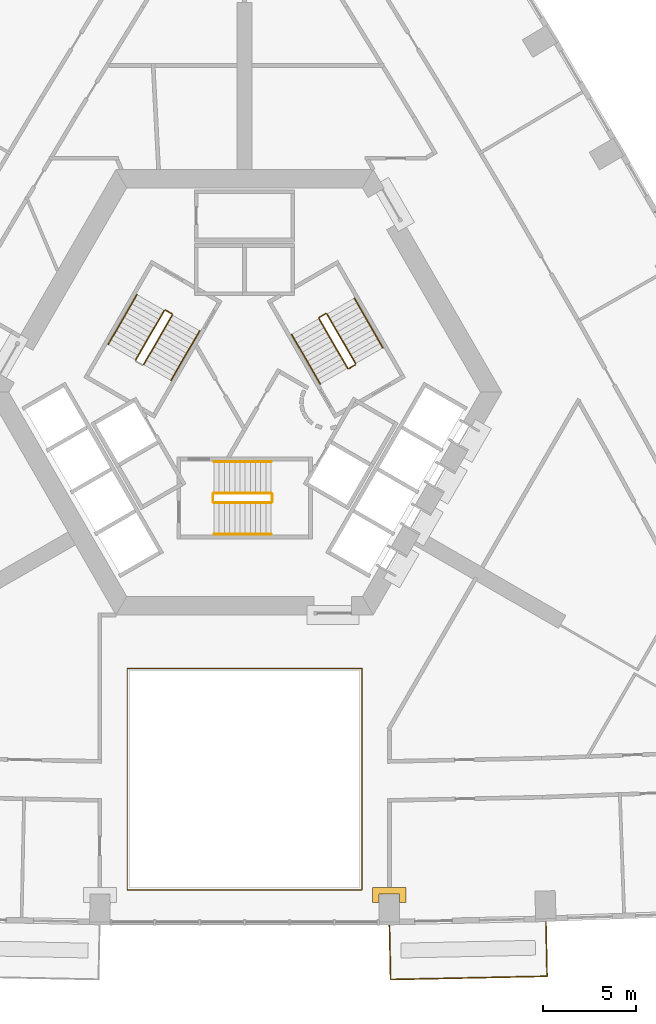
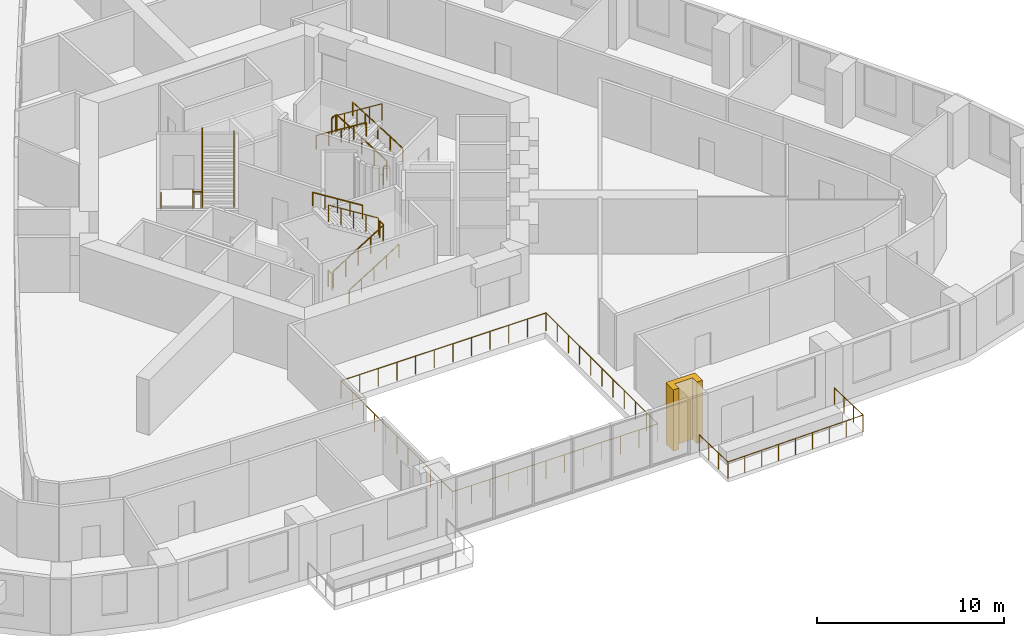
# One storey, part 13 of 14: 19 railings, 1 covering.
"""IFC4 building model written with IfcOpenShell, lengths in metres."""

from ifc_helpers import new_model, si_unit, direction, frame, origin, origin_2d, place, context, subcontext, project, spatial, polyline, circle, outline, extrude, material, type_object, element, save


model = new_model("IFC4")

# Units and contexts
model_context = context("Model", 3, precision=1e-05, world=origin(), true_north=direction((0.0, 1.0)))
body_context = subcontext(model_context, "Body", "Model", "MODEL_VIEW")
ifc_project = project(units=[si_unit("LENGTHUNIT", "METRE"), si_unit("AREAUNIT", "SQUARE_METRE"), si_unit("VOLUMEUNIT", "CUBIC_METRE"), si_unit("PLANEANGLEUNIT", "RADIAN"), si_unit("MASSUNIT", "GRAM", prefix="KILO")], contexts=[model_context])

# Site, building, storey
site_placement = place(None, origin())
site = spatial("IfcSite", under=ifc_project, at=site_placement, CompositionType="ELEMENT")
building_placement = place(site_placement, origin())
building = spatial("IfcBuilding", under=site, at=building_placement, Name="Entoto Arch Interchange Tower", CompositionType="ELEMENT")
storey_placement = place(building_placement, frame((0.0, 0.0, 180.199951171875)))
storey = spatial("IfcBuildingStorey", under=building, at=storey_placement, Name="L40", CompositionType="ELEMENT", Elevation=180.199951171875)

# Railings
ifc_material_1 = material(Name="Stainless steel 1.4301", Category="steel")
railing_type_1 = type_object("IfcRailingType", Name="ATRIUM GUARD 1200 STEEL AND GLASS", PredefinedType="GUARDRAIL", material=ifc_material_1)
railing_1_placement = place(storey_placement, frame((6.320068359375, -24.30908203125, 0.0)))
element("IfcRailing", 1, at=railing_1_placement, inside=storey, type_object=railing_type_1, Name="Atrium guard L40", PredefinedType="GUARDRAIL", context=body_context, shape_type="SweptSolid", body=[
    extrude(circle(Radius=0.02392578125, at=origin_2d()), frame((0.0, 0.0, 1.17578125), z_axis=(-1.0, 0.0, 0.0), x_axis=(0.0, -1.0, 0.0)), (0.0, 0.0, 1.0), 12.64013671875),
    extrude(circle(Radius=0.02392578125, at=origin_2d()), frame((-12.64013671875, 0.0, 1.17578125), z_axis=(0.0, 1.0, 0.0), x_axis=(-1.0, 0.0, 0.0)), (0.0, 0.0, 1.0), 11.92919921875),
    extrude(circle(Radius=0.02392578125, at=origin_2d()), frame((-12.64013671875, 11.92919921875, 1.17578125), z_axis=(1.0, 0.0, 0.0), x_axis=(0.0, 1.0, 0.0)), (0.0, 0.0, 1.0), 12.64013671875),
    extrude(circle(Radius=0.02392578125, at=origin_2d()), frame((0.0, 11.92919921875, 1.17578125), z_axis=(0.0, -1.0, 0.0), x_axis=(1.0, 0.0, 0.0)), (0.0, 0.0, 1.0), 11.92919921875),
    extrude(circle(Radius=0.02099609375, at=origin_2d()), origin(), (0.0, 0.0, 1.0), 1.15185546875),
    extrude(circle(Radius=0.02099609375, at=origin_2d()), frame((-1.149169921875, 0.0, 0.0)), (0.0, 0.0, 1.0), 1.15185546875),
    extrude(circle(Radius=0.02099609375, at=origin_2d()), frame((-2.298095703125, 0.0, 0.0)), (0.0, 0.0, 1.0), 1.15185546875),
    extrude(circle(Radius=0.02099609375, at=origin_2d()), frame((-3.447265625, 0.0, 0.0)), (0.0, 0.0, 1.0), 1.15185546875),
    extrude(circle(Radius=0.02099609375, at=origin_2d()), frame((-4.596435546875, 0.0, 0.0)), (0.0, 0.0, 1.0), 1.15185546875),
    extrude(circle(Radius=0.02099609375, at=origin_2d()), frame((-5.74560546875, 0.0, 0.0)), (0.0, 0.0, 1.0), 1.15185546875),
    extrude(circle(Radius=0.02099609375, at=origin_2d()), frame((-6.89453125, 0.0, 0.0)), (0.0, 0.0, 1.0), 1.15185546875),
    extrude(circle(Radius=0.02099609375, at=origin_2d()), frame((-8.043701171875, 0.0, 0.0)), (0.0, 0.0, 1.0), 1.15185546875),
    extrude(circle(Radius=0.02099609375, at=origin_2d()), frame((-9.19287109375, 0.0, 0.0)), (0.0, 0.0, 1.0), 1.15185546875),
    extrude(circle(Radius=0.02099609375, at=origin_2d()), frame((-10.342041015625, 0.0, 0.0)), (0.0, 0.0, 1.0), 1.15185546875),
    extrude(circle(Radius=0.02099609375, at=origin_2d()), frame((-11.490966796875, 0.0, 0.0)), (0.0, 0.0, 1.0), 1.15185546875),
    extrude(circle(Radius=0.02099609375, at=origin_2d()), frame((-12.64013671875, 0.0, 0.0)), (0.0, 0.0, 1.0), 1.15185546875),
    extrude(circle(Radius=0.02099609375, at=origin_2d()), frame((-12.64013671875, 1.19287109375, 0.0)), (0.0, 0.0, 1.0), 1.15185546875),
    extrude(circle(Radius=0.02099609375, at=origin_2d()), frame((-12.64013671875, 2.3857421875, 0.0)), (0.0, 0.0, 1.0), 1.15185546875),
    extrude(circle(Radius=0.02099609375, at=origin_2d()), frame((-12.64013671875, 3.578857421875, 0.0)), (0.0, 0.0, 1.0), 1.15185546875),
    extrude(circle(Radius=0.02099609375, at=origin_2d()), frame((-12.64013671875, 4.771728515625, 0.0)), (0.0, 0.0, 1.0), 1.15185546875),
    extrude(circle(Radius=0.02099609375, at=origin_2d()), frame((-12.64013671875, 5.964599609375, 0.0)), (0.0, 0.0, 1.0), 1.15185546875),
    extrude(circle(Radius=0.02099609375, at=origin_2d()), frame((-12.64013671875, 7.157470703125, 0.0)), (0.0, 0.0, 1.0), 1.15185546875),
    extrude(circle(Radius=0.02099609375, at=origin_2d()), frame((-12.64013671875, 8.350341796875, 0.0)), (0.0, 0.0, 1.0), 1.15185546875),
    extrude(circle(Radius=0.02099609375, at=origin_2d()), frame((-12.64013671875, 9.54345703125, 0.0)), (0.0, 0.0, 1.0), 1.15185546875),
    extrude(circle(Radius=0.02099609375, at=origin_2d()), frame((-12.64013671875, 10.736328125, 0.0)), (0.0, 0.0, 1.0), 1.15185546875),
    extrude(circle(Radius=0.02099609375, at=origin_2d()), frame((-12.64013671875, 11.92919921875, 0.0)), (0.0, 0.0, 1.0), 1.15185546875),
    extrude(circle(Radius=0.02099609375, at=origin_2d()), frame((-11.490966796875, 11.92919921875, 0.0)), (0.0, 0.0, 1.0), 1.15185546875),
    extrude(circle(Radius=0.02099609375, at=origin_2d()), frame((-10.342041015625, 11.92919921875, 0.0)), (0.0, 0.0, 1.0), 1.15185546875),
    extrude(circle(Radius=0.02099609375, at=origin_2d()), frame((-9.19287109375, 11.92919921875, 0.0)), (0.0, 0.0, 1.0), 1.15185546875),
    extrude(circle(Radius=0.02099609375, at=origin_2d()), frame((-8.043701171875, 11.92919921875, 0.0)), (0.0, 0.0, 1.0), 1.15185546875),
    extrude(circle(Radius=0.02099609375, at=origin_2d()), frame((-6.89453125, 11.92919921875, 0.0)), (0.0, 0.0, 1.0), 1.15185546875),
    extrude(circle(Radius=0.02099609375, at=origin_2d()), frame((-5.74560546875, 11.92919921875, 0.0)), (0.0, 0.0, 1.0), 1.15185546875),
    extrude(circle(Radius=0.02099609375, at=origin_2d()), frame((-4.596435546875, 11.92919921875, 0.0)), (0.0, 0.0, 1.0), 1.15185546875),
    extrude(circle(Radius=0.02099609375, at=origin_2d()), frame((-3.447265625, 11.92919921875, 0.0)), (0.0, 0.0, 1.0), 1.15185546875),
    extrude(circle(Radius=0.02099609375, at=origin_2d()), frame((-2.298095703125, 11.92919921875, 0.0)), (0.0, 0.0, 1.0), 1.15185546875),
    extrude(circle(Radius=0.02099609375, at=origin_2d()), frame((-1.149169921875, 11.92919921875, 0.0)), (0.0, 0.0, 1.0), 1.15185546875),
    extrude(circle(Radius=0.02099609375, at=origin_2d()), frame((0.0, 11.92919921875, 0.0)), (0.0, 0.0, 1.0), 1.15185546875),
    extrude(circle(Radius=0.02099609375, at=origin_2d()), frame((0.0, 10.736328125, 0.0)), (0.0, 0.0, 1.0), 1.15185546875),
    extrude(circle(Radius=0.02099609375, at=origin_2d()), frame((0.0, 9.54345703125, 0.0)), (0.0, 0.0, 1.0), 1.15185546875),
    extrude(circle(Radius=0.02099609375, at=origin_2d()), frame((0.0, 8.350341796875, 0.0)), (0.0, 0.0, 1.0), 1.15185546875),
    extrude(circle(Radius=0.02099609375, at=origin_2d()), frame((0.0, 7.157470703125, 0.0)), (0.0, 0.0, 1.0), 1.15185546875),
    extrude(circle(Radius=0.02099609375, at=origin_2d()), frame((0.0, 5.964599609375, 0.0)), (0.0, 0.0, 1.0), 1.15185546875),
    extrude(circle(Radius=0.02099609375, at=origin_2d()), frame((0.0, 4.771728515625, 0.0)), (0.0, 0.0, 1.0), 1.15185546875),
    extrude(circle(Radius=0.02099609375, at=origin_2d()), frame((0.0, 3.578857421875, 0.0)), (0.0, 0.0, 1.0), 1.15185546875),
    extrude(circle(Radius=0.02099609375, at=origin_2d()), frame((0.0, 2.3857421875, 0.0)), (0.0, 0.0, 1.0), 1.15185546875),
    extrude(circle(Radius=0.02099609375, at=origin_2d()), frame((0.0, 1.19287109375, 0.0)), (0.0, 0.0, 1.0), 1.15185546875),
])
railing_type_2 = type_object("IfcRailingType", Name="GUARD 1100 STEEL AND GLASS", PredefinedType="GUARDRAIL", material=ifc_material_1)
railing_2_placement = place(storey_placement, frame((7.800048828125, -26.18896484375, 0.0)))
element("IfcRailing", 2, at=railing_2_placement, inside=storey, type_object=railing_type_2, Name="Balcony guard S-04 L40", PredefinedType="GUARDRAIL", context=body_context, shape_type="SweptSolid", body=[
    extrude(circle(Radius=0.02392578125, at=origin_2d()), frame((0.0, 0.0, 1.076171875), z_axis=(0.021023583155, -0.999778980051, 0.0), x_axis=(0.999778980051, 0.021023583155, 0.0)), (0.0, 0.0, 1.0), 2.94970703125),
    extrude(circle(Radius=0.02392578125, at=origin_2d()), frame((0.06201171875, -2.948974609375, 1.076171875), z_axis=(0.999782264983, 0.020866782836, 0.0), x_axis=(-0.020866782836, 0.999782264983, 0.0)), (0.0, 0.0, 1.0), 8.435791015625),
    extrude(circle(Radius=0.02392578125, at=origin_2d()), frame((8.495849609375, -2.77294921875, 1.076171875), z_axis=(-0.021023583155, 0.999778980051, 0.0), x_axis=(-0.999778980051, -0.021023583155, 0.0)), (0.0, 0.0, 1.0), 2.94970703125),
    extrude(circle(Radius=0.02099609375, at=origin_2d()), origin(), (0.0, 0.0, 1.0), 1.052001953125),
    extrude(circle(Radius=0.02099609375, at=origin_2d()), frame((0.020751953125, -0.98291015625, 0.0)), (0.0, 0.0, 1.0), 1.052001953125),
    extrude(circle(Radius=0.02099609375, at=origin_2d()), frame((0.041259765625, -1.966064453125, 0.0)), (0.0, 0.0, 1.0), 1.052001953125),
    extrude(circle(Radius=0.02099609375, at=origin_2d()), frame((0.06201171875, -2.948974609375, 0.0)), (0.0, 0.0, 1.0), 1.052001953125),
    extrude(circle(Radius=0.02099609375, at=origin_2d()), frame((1.1162109375, -2.927001953125, 0.0)), (0.0, 0.0, 1.0), 1.052001953125),
    extrude(circle(Radius=0.02099609375, at=origin_2d()), frame((2.17041015625, -2.905029296875, 0.0)), (0.0, 0.0, 1.0), 1.052001953125),
    extrude(circle(Radius=0.02099609375, at=origin_2d()), frame((3.224609375, -2.883056640625, 0.0)), (0.0, 0.0, 1.0), 1.052001953125),
    extrude(circle(Radius=0.02099609375, at=origin_2d()), frame((4.27880859375, -2.86083984375, 0.0)), (0.0, 0.0, 1.0), 1.052001953125),
    extrude(circle(Radius=0.02099609375, at=origin_2d()), frame((5.333251953125, -2.8388671875, 0.0)), (0.0, 0.0, 1.0), 1.052001953125),
    extrude(circle(Radius=0.02099609375, at=origin_2d()), frame((6.387451171875, -2.81689453125, 0.0)), (0.0, 0.0, 1.0), 1.052001953125),
    extrude(circle(Radius=0.02099609375, at=origin_2d()), frame((7.441650390625, -2.794921875, 0.0)), (0.0, 0.0, 1.0), 1.052001953125),
    extrude(circle(Radius=0.02099609375, at=origin_2d()), frame((8.495849609375, -2.77294921875, 0.0)), (0.0, 0.0, 1.0), 1.052001953125),
    extrude(circle(Radius=0.02099609375, at=origin_2d()), frame((8.47509765625, -1.7900390625, 0.0)), (0.0, 0.0, 1.0), 1.052001953125),
    extrude(circle(Radius=0.02099609375, at=origin_2d()), frame((8.45458984375, -0.806884765625, 0.0)), (0.0, 0.0, 1.0), 1.052001953125),
    extrude(circle(Radius=0.02099609375, at=origin_2d()), frame((8.433837890625, 0.176025390625, 0.0)), (0.0, 0.0, 1.0), 1.052001953125),
])

# Covering
ifc_material_2 = material(Name="Board-marked precast concrete C50/60", Category="concrete")
covering_type = type_object("IfcCoveringType", Name="PRECAST FRAME COURSE", PredefinedType="CLADDING", material=ifc_material_2)
covering_placement = place(storey_placement, frame((0.0, 0.0, -0.39990234375)))
element("IfcCovering", 3, at=covering_placement, inside=storey, type_object=covering_type, Name="Gate pier L40", PredefinedType="CLADDING", context=body_context, shape_type="SweptSolid", body=[
    extrude(outline(polyline([(6.888916015625, -24.18896484375), (8.68896484375, -24.18896484375), (8.68896484375, -24.9990234375), (8.339111328125, -24.9990234375), (8.339111328125, -24.5390625), (7.239013671875, -24.5390625), (7.239013671875, -24.9990234375), (6.888916015625, -24.9990234375), (6.888916015625, -24.18896484375)])), origin(), (0.0, 0.0, 1.0), 4.0),
])

# Railings
railing_type_3 = type_object("IfcRailingType", Name="STAIR GUARD 1100 STEEL", PredefinedType="GUARDRAIL", material=ifc_material_1)
railing_3_placement = place(storey_placement, frame((-1.64990234375, -3.449951171875, 0.175048828125)))
element("IfcRailing", 4, at=railing_3_placement, inside=storey, type_object=railing_type_3, Name="L40 ST-S stair guard 1", PredefinedType="GUARDRAIL", context=body_context, shape_type="SweptSolid", body=[
    extrude(circle(Radius=0.02392578125, at=origin_2d()), frame((0.0, 0.0, 1.076171875), z_axis=(0.847979421464, 0.0, 0.530029150871), x_axis=(0.0, 1.0, 0.0)), (0.0, 0.0, 1.0), 3.632080078125),
    extrude(circle(Radius=0.02099609375, at=origin_2d()), origin(), (0.0, 0.0, 1.0), 1.052001953125),
    extrude(circle(Radius=0.02099609375, at=origin_2d()), frame((0.77001953125, 0.0, 0.481201171875)), (0.0, 0.0, 1.0), 1.052001953125),
    extrude(circle(Radius=0.02099609375, at=origin_2d()), frame((1.5400390625, 0.0, 0.96240234375)), (0.0, 0.0, 1.0), 1.052001953125),
    extrude(circle(Radius=0.02099609375, at=origin_2d()), frame((2.309814453125, 0.0, 1.44384765625)), (0.0, 0.0, 1.0), 1.052001953125),
    extrude(circle(Radius=0.02099609375, at=origin_2d()), frame((3.079833984375, 0.0, 1.925048828125)), (0.0, 0.0, 1.0), 1.052001953125),
])
railing_4_placement = place(storey_placement, frame((1.47998046875, -3.39990234375, 2.10009765625)))
element("IfcRailing", 5, at=railing_4_placement, inside=storey, type_object=railing_type_3, Name="L40 ST-S stair guard 2", PredefinedType="GUARDRAIL", context=body_context, shape_type="SweptSolid", body=[
    extrude(circle(Radius=0.02392578125, at=origin_2d()), frame((0.0, 0.0, 1.076171875), z_axis=(0.0, 1.0, 0.0), x_axis=(-1.0, 0.0, 0.0)), (0.0, 0.0, 1.0), 0.39990234375),
    extrude(circle(Radius=0.02099609375, at=origin_2d()), origin(), (0.0, 0.0, 1.0), 1.052001953125),
    extrude(circle(Radius=0.02099609375, at=origin_2d()), frame((0.0, 0.39990234375, 0.0)), (0.0, 0.0, 1.0), 1.052001953125),
])
railing_5_placement = place(storey_placement, frame((1.429931640625, -2.949951171875, 2.275146484375)))
element("IfcRailing", 6, at=railing_5_placement, inside=storey, type_object=railing_type_3, Name="L40 ST-S stair guard 3", PredefinedType="GUARDRAIL", context=body_context, shape_type="SweptSolid", body=[
    extrude(circle(Radius=0.02392578125, at=origin_2d()), frame((0.0, 0.0, 1.076171875), z_axis=(-0.848009633417, 0.0, 0.529980812513), x_axis=(0.0, -1.0, 0.0)), (0.0, 0.0, 1.0), 3.6318359375),
    extrude(circle(Radius=0.02099609375, at=origin_2d()), origin(), (0.0, 0.0, 1.0), 1.052001953125),
    extrude(circle(Radius=0.02099609375, at=origin_2d()), frame((-0.77001953125, 0.0, 0.481201171875)), (0.0, 0.0, 1.0), 1.052001953125),
    extrude(circle(Radius=0.02099609375, at=origin_2d()), frame((-1.5400390625, 0.0, 0.96240234375)), (0.0, 0.0, 1.0), 1.052001953125),
    extrude(circle(Radius=0.02099609375, at=origin_2d()), frame((-2.309814453125, 0.0, 1.443603515625)), (0.0, 0.0, 1.0), 1.052001953125),
    extrude(circle(Radius=0.02099609375, at=origin_2d()), frame((-3.079833984375, 0.0, 1.9248046875)), (0.0, 0.0, 1.0), 1.052001953125),
])
railing_6_placement = place(storey_placement, frame((-1.699951171875, -3.39990234375, 0.0)))
element("IfcRailing", 7, at=railing_6_placement, inside=storey, type_object=railing_type_3, Name="L40 ST-S stair guard 4", PredefinedType="GUARDRAIL", context=body_context, shape_type="SweptSolid", body=[
    extrude(circle(Radius=0.02392578125, at=origin_2d()), frame((0.0, 0.0, 1.076171875), z_axis=(0.0, 1.0, 0.0), x_axis=(-1.0, 0.0, 0.0)), (0.0, 0.0, 1.0), 0.39990234375),
    extrude(circle(Radius=0.02099609375, at=origin_2d()), origin(), (0.0, 0.0, 1.0), 1.052001953125),
    extrude(circle(Radius=0.02099609375, at=origin_2d()), frame((0.0, 0.39990234375, 0.0)), (0.0, 0.0, 1.0), 1.052001953125),
])
railing_7_placement = place(storey_placement, frame((5.977783203125, 4.046142578125, 0.175048828125)))
element("IfcRailing", 8, at=railing_7_placement, inside=storey, type_object=railing_type_3, Name="L40 ST-NE stair guard 1", PredefinedType="GUARDRAIL", context=body_context, shape_type="SweptSolid", body=[
    extrude(circle(Radius=0.02392578125, at=origin_2d()), frame((0.0, 0.0, 1.076171875), z_axis=(-0.424015404183, 0.734364028329, 0.530019255228), x_axis=(-0.866010015463, -0.500026652407, 0.0)), (0.0, 0.0, 1.0), 3.632080078125),
    extrude(circle(Radius=0.02099609375, at=origin_2d()), origin(), (0.0, 0.0, 1.0), 1.052001953125),
    extrude(circle(Radius=0.02099609375, at=origin_2d()), frame((-0.385009765625, 0.666748046875, 0.481201171875)), (0.0, 0.0, 1.0), 1.052001953125),
    extrude(circle(Radius=0.02099609375, at=origin_2d()), frame((-0.77001953125, 1.33349609375, 0.96240234375)), (0.0, 0.0, 1.0), 1.052001953125),
    extrude(circle(Radius=0.02099609375, at=origin_2d()), frame((-1.155029296875, 2.00048828125, 1.44384765625)), (0.0, 0.0, 1.0), 1.052001953125),
    extrude(circle(Radius=0.02099609375, at=origin_2d()), frame((-1.5400390625, 2.667236328125, 1.925048828125)), (0.0, 0.0, 1.0), 1.052001953125),
])
railing_8_placement = place(storey_placement, frame((4.36962890625, 6.731689453125, 2.10009765625)))
element("IfcRailing", 9, at=railing_8_placement, inside=storey, type_object=railing_type_3, Name="L40 ST-NE stair guard 2", PredefinedType="GUARDRAIL", context=body_context, shape_type="SweptSolid", body=[
    extrude(circle(Radius=0.02392578125, at=origin_2d()), frame((0.0, 0.0, 1.076171875), z_axis=(-0.866094119867, -0.499880961361, 0.0), x_axis=(0.499880961361, -0.866094119867, 0.0)), (0.0, 0.0, 1.0), 0.39990234375),
    extrude(circle(Radius=0.02099609375, at=origin_2d()), origin(), (0.0, 0.0, 1.0), 1.052001953125),
    extrude(circle(Radius=0.02099609375, at=origin_2d()), frame((-0.346435546875, -0.199951171875, 0.0)), (0.0, 0.0, 1.0), 1.052001953125),
])
railing_9_placement = place(storey_placement, frame((4.0048828125, 6.46337890625, 2.275146484375)))
element("IfcRailing", 10, at=railing_9_placement, inside=storey, type_object=railing_type_3, Name="L40 ST-NE stair guard 3", PredefinedType="GUARDRAIL", context=body_context, shape_type="SweptSolid", body=[
    extrude(circle(Radius=0.02392578125, at=origin_2d()), frame((0.0, 0.0, 1.076171875), z_axis=(0.42403051051, -0.734390191396, 0.529970917068), x_axis=(0.866010015463, 0.500026652407, 0.0)), (0.0, 0.0, 1.0), 3.6318359375),
    extrude(circle(Radius=0.02099609375, at=origin_2d()), origin(), (0.0, 0.0, 1.0), 1.052001953125),
    extrude(circle(Radius=0.02099609375, at=origin_2d()), frame((0.385009765625, -0.666748046875, 0.481201171875)), (0.0, 0.0, 1.0), 1.052001953125),
    extrude(circle(Radius=0.02099609375, at=origin_2d()), frame((0.77001953125, -1.33349609375, 0.96240234375)), (0.0, 0.0, 1.0), 1.052001953125),
    extrude(circle(Radius=0.02099609375, at=origin_2d()), frame((1.155029296875, -2.00048828125, 1.443603515625)), (0.0, 0.0, 1.0), 1.052001953125),
    extrude(circle(Radius=0.02099609375, at=origin_2d()), frame((1.5400390625, -2.667236328125, 1.9248046875)), (0.0, 0.0, 1.0), 1.052001953125),
])
railing_10_placement = place(storey_placement, frame((5.95947265625, 3.977783203125, 0.0)))
element("IfcRailing", 11, at=railing_10_placement, inside=storey, type_object=railing_type_3, Name="L40 ST-NE stair guard 4", PredefinedType="GUARDRAIL", context=body_context, shape_type="SweptSolid", body=[
    extrude(circle(Radius=0.02392578125, at=origin_2d()), frame((0.0, 0.0, 1.076171875), z_axis=(-0.866094119867, -0.499880961361, 0.0), x_axis=(0.499880961361, -0.866094119867, 0.0)), (0.0, 0.0, 1.0), 0.39990234375),
    extrude(circle(Radius=0.02099609375, at=origin_2d()), origin(), (0.0, 0.0, 1.0), 1.052001953125),
    extrude(circle(Radius=0.02099609375, at=origin_2d()), frame((-0.346435546875, -0.199951171875, 0.0)), (0.0, 0.0, 1.0), 1.052001953125),
])
railing_11_placement = place(storey_placement, frame((-4.327880859375, 6.904052734375, 0.175048828125)))
element("IfcRailing", 12, at=railing_11_placement, inside=storey, type_object=railing_type_3, Name="L40 ST-NW stair guard 1", PredefinedType="GUARDRAIL", context=body_context, shape_type="SweptSolid", body=[
    extrude(circle(Radius=0.02392578125, at=origin_2d()), frame((0.0, 0.0, 1.076171875), z_axis=(-0.423994474112, -0.734394994316, 0.52999309264), x_axis=(0.866029832698, -0.499992328818, 0.0)), (0.0, 0.0, 1.0), 3.63232421875),
    extrude(circle(Radius=0.02099609375, at=origin_2d()), origin(), (0.0, 0.0, 1.0), 1.052001953125),
    extrude(circle(Radius=0.02099609375, at=origin_2d()), frame((-0.385009765625, -0.6669921875, 0.481201171875)), (0.0, 0.0, 1.0), 1.052001953125),
    extrude(circle(Radius=0.02099609375, at=origin_2d()), frame((-0.77001953125, -1.333740234375, 0.96240234375)), (0.0, 0.0, 1.0), 1.052001953125),
    extrude(circle(Radius=0.02099609375, at=origin_2d()), frame((-1.155029296875, -2.00048828125, 1.44384765625)), (0.0, 0.0, 1.0), 1.052001953125),
    extrude(circle(Radius=0.02099609375, at=origin_2d()), frame((-1.5400390625, -2.66748046875, 1.925048828125)), (0.0, 0.0, 1.0), 1.052001953125),
])
railing_12_placement = place(storey_placement, frame((-5.434814453125, 3.986572265625, 2.275146484375)))
element("IfcRailing", 13, at=railing_12_placement, inside=storey, type_object=railing_type_3, Name="L40 ST-NW stair guard 3", PredefinedType="GUARDRAIL", context=body_context, shape_type="SweptSolid", body=[
    extrude(circle(Radius=0.02392578125, at=origin_2d()), frame((0.0, 0.0, 1.076171875), z_axis=(0.424009578203, 0.734421155904, 0.529944755001), x_axis=(-0.866029832698, 0.499992328818, 0.0)), (0.0, 0.0, 1.0), 3.632080078125),
    extrude(circle(Radius=0.02099609375, at=origin_2d()), origin(), (0.0, 0.0, 1.0), 1.052001953125),
    extrude(circle(Radius=0.02099609375, at=origin_2d()), frame((0.385009765625, 0.6669921875, 0.481201171875)), (0.0, 0.0, 1.0), 1.052001953125),
    extrude(circle(Radius=0.02099609375, at=origin_2d()), frame((0.77001953125, 1.333740234375, 0.96240234375)), (0.0, 0.0, 1.0), 1.052001953125),
    extrude(circle(Radius=0.02099609375, at=origin_2d()), frame((1.155029296875, 2.00048828125, 1.443603515625)), (0.0, 0.0, 1.0), 1.052001953125),
    extrude(circle(Radius=0.02099609375, at=origin_2d()), frame((1.5400390625, 2.66748046875, 1.9248046875)), (0.0, 0.0, 1.0), 1.052001953125),
])
railing_13_placement = place(storey_placement, frame((-4.259521484375, 6.92236328125, 0.0)))
element("IfcRailing", 14, at=railing_13_placement, inside=storey, type_object=railing_type_3, Name="L40 ST-NW stair guard 4", PredefinedType="GUARDRAIL", context=body_context, shape_type="SweptSolid", body=[
    extrude(circle(Radius=0.02392578125, at=origin_2d()), frame((0.0, 0.0, 1.076171875), z_axis=(0.865829829939, -0.500338590944, 0.0), x_axis=(0.500338590944, 0.865829829939, 0.0)), (0.0, 0.0, 1.0), 0.400146484375),
    extrude(circle(Radius=0.02099609375, at=origin_2d()), origin(), (0.0, 0.0, 1.0), 1.052001953125),
    extrude(circle(Radius=0.02099609375, at=origin_2d()), frame((0.346435546875, -0.2001953125, 0.0)), (0.0, 0.0, 1.0), 1.052001953125),
])
railing_type_4 = type_object("IfcRailingType", Name="STAIR HANDRAIL 900 STEEL", PredefinedType="HANDRAIL", material=ifc_material_1)
railing_14_placement = place(storey_placement, frame((-1.64990234375, -5.14990234375, 0.175048828125)))
element("IfcRailing", 15, at=railing_14_placement, inside=storey, type_object=railing_type_4, Name="L40 ST-S stair handrail 1", PredefinedType="HANDRAIL", context=body_context, shape_type="SweptSolid", body=[
    extrude(circle(Radius=0.02392578125, at=origin_2d()), frame((0.0, 0.0, 0.8759765625), z_axis=(0.847979421464, 0.0, 0.530029150871), x_axis=(0.0, 1.0, 0.0)), (0.0, 0.0, 1.0), 3.632080078125),
    extrude(circle(Radius=0.02099609375, at=origin_2d()), origin(), (0.0, 0.0, 1.0), 0.851806640625),
    extrude(circle(Radius=0.02099609375, at=origin_2d()), frame((0.77001953125, 0.0, 0.481201171875)), (0.0, 0.0, 1.0), 0.851806640625),
    extrude(circle(Radius=0.02099609375, at=origin_2d()), frame((1.5400390625, 0.0, 0.96240234375)), (0.0, 0.0, 1.0), 0.851806640625),
    extrude(circle(Radius=0.02099609375, at=origin_2d()), frame((2.309814453125, 0.0, 1.44384765625)), (0.0, 0.0, 1.0), 0.851806640625),
    extrude(circle(Radius=0.02099609375, at=origin_2d()), frame((3.079833984375, 0.0, 1.925048828125)), (0.0, 0.0, 1.0), 0.851806640625),
])
railing_15_placement = place(storey_placement, frame((1.429931640625, -1.25, 2.275146484375)))
element("IfcRailing", 16, at=railing_15_placement, inside=storey, type_object=railing_type_4, Name="L40 ST-S stair handrail 2", PredefinedType="HANDRAIL", context=body_context, shape_type="SweptSolid", body=[
    extrude(circle(Radius=0.02392578125, at=origin_2d()), frame((0.0, 0.0, 0.8759765625), z_axis=(-0.848009633417, 0.0, 0.529980812513), x_axis=(0.0, -1.0, 0.0)), (0.0, 0.0, 1.0), 3.6318359375),
    extrude(circle(Radius=0.02099609375, at=origin_2d()), origin(), (0.0, 0.0, 1.0), 0.851806640625),
    extrude(circle(Radius=0.02099609375, at=origin_2d()), frame((-0.77001953125, 0.0, 0.481201171875)), (0.0, 0.0, 1.0), 0.851806640625),
    extrude(circle(Radius=0.02099609375, at=origin_2d()), frame((-1.5400390625, 0.0, 0.96240234375)), (0.0, 0.0, 1.0), 0.851806640625),
    extrude(circle(Radius=0.02099609375, at=origin_2d()), frame((-2.309814453125, 0.0, 1.443603515625)), (0.0, 0.0, 1.0), 0.851806640625),
    extrude(circle(Radius=0.02099609375, at=origin_2d()), frame((-3.079833984375, 0.0, 1.9248046875)), (0.0, 0.0, 1.0), 0.851806640625),
])
railing_16_placement = place(storey_placement, frame((7.4501953125, 4.89599609375, 0.175048828125)))
element("IfcRailing", 17, at=railing_16_placement, inside=storey, type_object=railing_type_4, Name="L40 ST-NE stair handrail 1", PredefinedType="HANDRAIL", context=body_context, shape_type="SweptSolid", body=[
    extrude(circle(Radius=0.02392578125, at=origin_2d()), frame((0.0, 0.0, 0.8759765625), z_axis=(-0.423994474112, 0.734394994316, 0.52999309264), x_axis=(-0.866029832698, -0.499992328818, 0.0)), (0.0, 0.0, 1.0), 3.63232421875),
    extrude(circle(Radius=0.02099609375, at=origin_2d()), origin(), (0.0, 0.0, 1.0), 0.851806640625),
    extrude(circle(Radius=0.02099609375, at=origin_2d()), frame((-0.385009765625, 0.6669921875, 0.481201171875)), (0.0, 0.0, 1.0), 0.851806640625),
    extrude(circle(Radius=0.02099609375, at=origin_2d()), frame((-0.77001953125, 1.333740234375, 0.96240234375)), (0.0, 0.0, 1.0), 0.851806640625),
    extrude(circle(Radius=0.02099609375, at=origin_2d()), frame((-1.155029296875, 2.00048828125, 1.44384765625)), (0.0, 0.0, 1.0), 0.851806640625),
    extrude(circle(Radius=0.02099609375, at=origin_2d()), frame((-1.5400390625, 2.66748046875, 1.925048828125)), (0.0, 0.0, 1.0), 0.851806640625),
])
railing_17_placement = place(storey_placement, frame((2.53271484375, 5.613525390625, 2.275146484375)))
element("IfcRailing", 18, at=railing_17_placement, inside=storey, type_object=railing_type_4, Name="L40 ST-NE stair handrail 2", PredefinedType="HANDRAIL", context=body_context, shape_type="SweptSolid", body=[
    extrude(circle(Radius=0.02392578125, at=origin_2d()), frame((0.0, 0.0, 0.8759765625), z_axis=(0.423954442778, -0.734442086855, 0.52995985839), x_axis=(0.866064153644, 0.499932877268, 0.0)), (0.0, 0.0, 1.0), 3.632080078125),
    extrude(circle(Radius=0.02099609375, at=origin_2d()), origin(), (0.0, 0.0, 1.0), 0.851806640625),
    extrude(circle(Radius=0.02099609375, at=origin_2d()), frame((0.385009765625, -0.6669921875, 0.481201171875)), (0.0, 0.0, 1.0), 0.851806640625),
    extrude(circle(Radius=0.02099609375, at=origin_2d()), frame((0.77001953125, -1.333740234375, 0.96240234375)), (0.0, 0.0, 1.0), 0.851806640625),
    extrude(circle(Radius=0.02099609375, at=origin_2d()), frame((1.15478515625, -2.00048828125, 1.443603515625)), (0.0, 0.0, 1.0), 0.851806640625),
    extrude(circle(Radius=0.02099609375, at=origin_2d()), frame((1.539794921875, -2.66748046875, 1.9248046875)), (0.0, 0.0, 1.0), 0.851806640625),
])
railing_18_placement = place(storey_placement, frame((-5.800048828125, 7.75390625, 0.175048828125)))
element("IfcRailing", 19, at=railing_18_placement, inside=storey, type_object=railing_type_4, Name="L40 ST-NW stair handrail 1", PredefinedType="HANDRAIL", context=body_context, shape_type="SweptSolid", body=[
    extrude(circle(Radius=0.02392578125, at=origin_2d()), frame((0.0, 0.0, 0.8759765625), z_axis=(-0.424015404183, -0.734364028329, 0.530019255228), x_axis=(0.866010015463, -0.500026652407, 0.0)), (0.0, 0.0, 1.0), 3.632080078125),
    extrude(circle(Radius=0.02099609375, at=origin_2d()), origin(), (0.0, 0.0, 1.0), 0.851806640625),
    extrude(circle(Radius=0.02099609375, at=origin_2d()), frame((-0.385009765625, -0.666748046875, 0.481201171875)), (0.0, 0.0, 1.0), 0.851806640625),
    extrude(circle(Radius=0.02099609375, at=origin_2d()), frame((-0.77001953125, -1.33349609375, 0.96240234375)), (0.0, 0.0, 1.0), 0.851806640625),
    extrude(circle(Radius=0.02099609375, at=origin_2d()), frame((-1.155029296875, -2.00048828125, 1.44384765625)), (0.0, 0.0, 1.0), 0.851806640625),
    extrude(circle(Radius=0.02099609375, at=origin_2d()), frame((-1.5400390625, -2.667236328125, 1.925048828125)), (0.0, 0.0, 1.0), 0.851806640625),
])
railing_19_placement = place(storey_placement, frame((-3.962646484375, 3.136474609375, 2.275146484375)))
element("IfcRailing", 20, at=railing_19_placement, inside=storey, type_object=railing_type_4, Name="L40 ST-NW stair handrail 2", PredefinedType="HANDRAIL", context=body_context, shape_type="SweptSolid", body=[
    extrude(circle(Radius=0.02392578125, at=origin_2d()), frame((0.0, 0.0, 0.8759765625), z_axis=(0.424009578203, 0.734421155904, 0.529944755001), x_axis=(-0.866029832698, 0.499992328818, 0.0)), (0.0, 0.0, 1.0), 3.632080078125),
    extrude(circle(Radius=0.02099609375, at=origin_2d()), origin(), (0.0, 0.0, 1.0), 0.851806640625),
    extrude(circle(Radius=0.02099609375, at=origin_2d()), frame((0.385009765625, 0.6669921875, 0.481201171875)), (0.0, 0.0, 1.0), 0.851806640625),
    extrude(circle(Radius=0.02099609375, at=origin_2d()), frame((0.77001953125, 1.333740234375, 0.96240234375)), (0.0, 0.0, 1.0), 0.851806640625),
    extrude(circle(Radius=0.02099609375, at=origin_2d()), frame((1.155029296875, 2.00048828125, 1.443603515625)), (0.0, 0.0, 1.0), 0.851806640625),
    extrude(circle(Radius=0.02099609375, at=origin_2d()), frame((1.5400390625, 2.66748046875, 1.9248046875)), (0.0, 0.0, 1.0), 0.851806640625),
])

save(model, "model.ifc")
